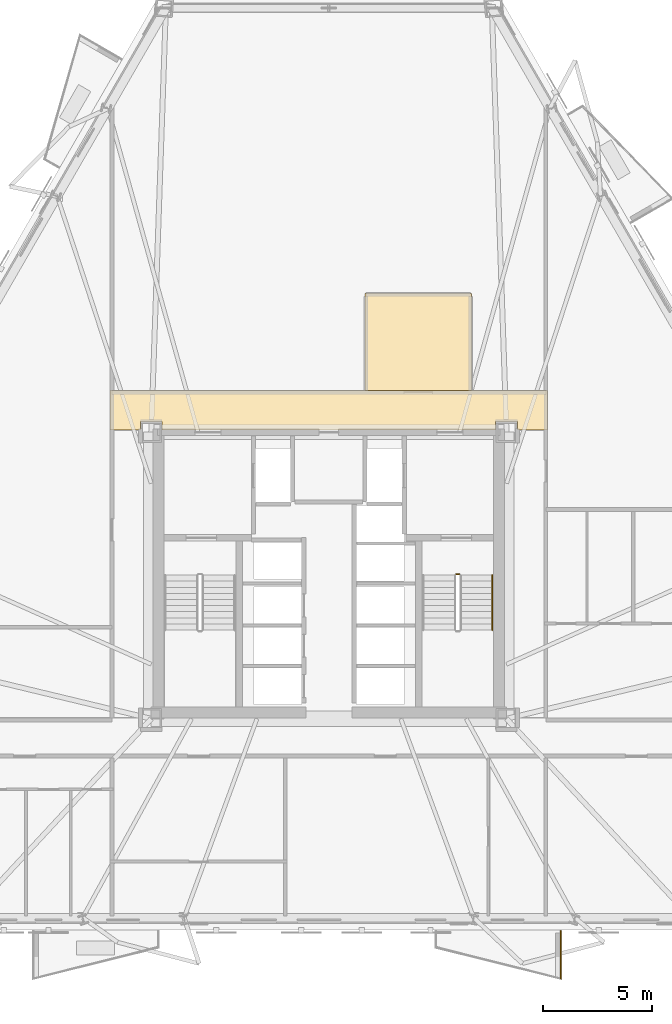
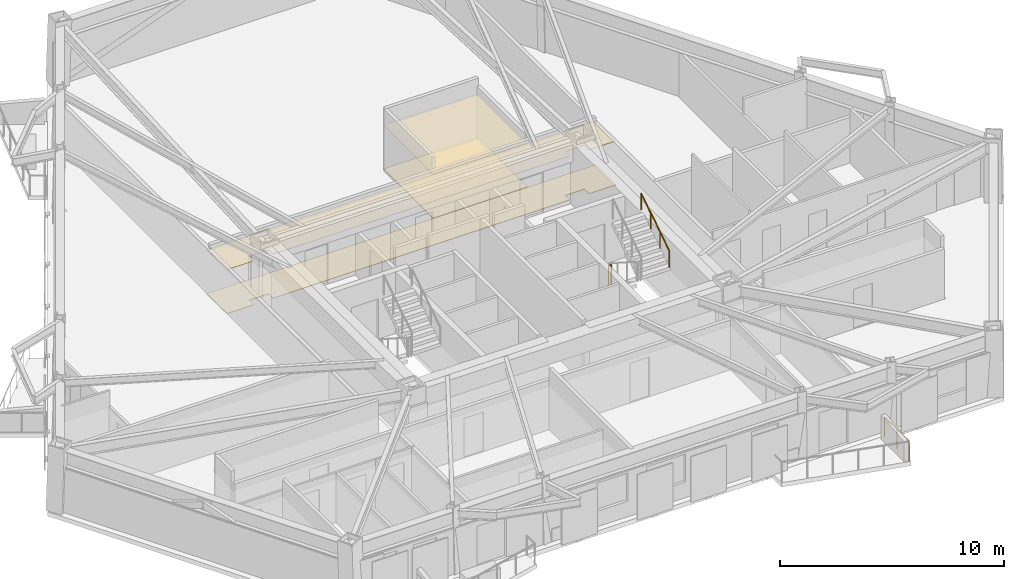
# One storey, part 12 of 13: 4 coverings, 3 railings.
"""IFC4 building model written with IfcOpenShell, lengths in metres."""

from ifc_helpers import new_model, si_unit, direction, frame, origin, origin_2d, place, context, subcontext, project, spatial, polyline, circle, outline, extrude, material, layer, layer_set, type_object, element, save


model = new_model("IFC4")

# Units and contexts
model_context = context("Model", 3, precision=1e-05, world=origin(), true_north=direction((0.0, 1.0)))
body_context = subcontext(model_context, "Body", "Model", "MODEL_VIEW")
ifc_project = project(units=[si_unit("LENGTHUNIT", "METRE"), si_unit("AREAUNIT", "SQUARE_METRE"), si_unit("VOLUMEUNIT", "CUBIC_METRE"), si_unit("PLANEANGLEUNIT", "RADIAN"), si_unit("MASSUNIT", "GRAM", prefix="KILO")], contexts=[model_context])

# Site, building, storey
site_placement = place(None, origin())
site = spatial("IfcSite", under=ifc_project, at=site_placement, CompositionType="ELEMENT")
building_placement = place(site_placement, origin())
building = spatial("IfcBuilding", under=site, at=building_placement, Name="Oramaril Tower", CompositionType="ELEMENT")
storey_placement = place(building_placement, frame((0.0, 0.0, 41.699951171875)))
storey = spatial("IfcBuildingStorey", under=building, at=storey_placement, Name="L10", CompositionType="ELEMENT", Elevation=41.699951171875)

# Coverings
ifc_material_1 = material(Name="Mineral Fibre Acoustic Ceiling")
ifc_layer_1 = layer(ifc_material_1, 0.02001953125)
ifc_layer_set_1 = layer_set([ifc_layer_1], Name="CVT-CEIL")
covering_type_1 = type_object("IfcCoveringType", Name="CVT-CEIL", PredefinedType="CEILING", material=ifc_layer_set_1)
covering_1_placement = place(storey_placement, frame((0.0, 0.0, 2.400146484375)))
element("IfcCovering", 1, at=covering_1_placement, inside=storey, type_object=covering_type_1, Name="L10 Acoustic Suspended Ceiling 2", PredefinedType="CEILING", context=body_context, shape_type="SweptSolid", body=[
    extrude(outline(polyline([(47.530029296875, 24.239990234375), (46.14501953125, 24.239990234375), (46.14501953125, 24.64501953125), (45.155029296875, 24.64501953125), (45.155029296875, 24.25), (29.844970703125, 24.25), (29.844970703125, 24.64501953125), (28.85498046875, 24.64501953125), (28.85498046875, 24.239990234375), (27.469970703125, 24.239990234375), (27.469970703125, 26.050048828125), (47.530029296875, 26.050048828125), (47.530029296875, 24.239990234375)])), origin(), (0.0, 0.0, 1.0), 0.02001953125),
])
covering_2_placement = place(storey_placement, frame((0.0, 0.0, 2.400146484375)))
element("IfcCovering", 2, at=covering_2_placement, inside=storey, type_object=covering_type_1, Name="L10 Acoustic Suspended Ceiling 5", PredefinedType="CEILING", context=body_context, shape_type="SweptSolid", body=[
    extrude(outline(polyline([(44.0419921875, 30.511962890625), (44.0419921875, 26.070068359375), (39.157958984375, 26.070068359375), (39.157958984375, 30.511962890625), (44.0419921875, 30.511962890625)])), origin(), (0.0, 0.0, 1.0), 0.02001953125),
])
ifc_material_2 = material(Name="Honed Quartzite Stone Flooring", Category="masonry")
ifc_layer_2 = layer(ifc_material_2, 0.02490234375)
ifc_layer_set_2 = layer_set([ifc_layer_2], Name="CVT-FLR")
covering_type_2 = type_object("IfcCoveringType", Name="CVT-FLR", PredefinedType="FLOORING", material=ifc_layer_set_2)
covering_3_placement = place(storey_placement, origin())
element("IfcCovering", 3, at=covering_3_placement, inside=storey, type_object=covering_type_2, Name="L10 Honed Stone Floor Finish 2", PredefinedType="FLOORING", context=body_context, shape_type="SweptSolid", body=[
    extrude(outline(polyline([(47.530029296875, 24.239990234375), (46.14501953125, 24.239990234375), (46.14501953125, 24.64501953125), (45.155029296875, 24.64501953125), (45.155029296875, 24.25), (29.844970703125, 24.25), (29.844970703125, 24.64501953125), (28.85498046875, 24.64501953125), (28.85498046875, 24.239990234375), (27.469970703125, 24.239990234375), (27.469970703125, 26.050048828125), (47.530029296875, 26.050048828125), (47.530029296875, 24.239990234375)])), origin(), (0.0, 0.0, 1.0), 0.025146484375),
])
covering_4_placement = place(storey_placement, origin())
element("IfcCovering", 4, at=covering_4_placement, inside=storey, type_object=covering_type_2, Name="L10 Honed Stone Floor Finish 5", PredefinedType="FLOORING", context=body_context, shape_type="SweptSolid", body=[
    extrude(outline(polyline([(44.0419921875, 30.511962890625), (44.0419921875, 26.070068359375), (39.157958984375, 26.070068359375), (39.157958984375, 30.511962890625), (44.0419921875, 30.511962890625)])), origin(), (0.0, 0.0, 1.0), 0.025146484375),
])

# Railings
ifc_material_3 = material(Name="Stainless Steel 316L", Category="steel")
railing_type_1 = type_object("IfcRailingType", Name="RLT-GRD", PredefinedType="GUARDRAIL", material=ifc_material_3)
railing_1_placement = place(storey_placement, frame((48.139892578125, 1.268310546875, 0.0)))
element("IfcRailing", 5, at=railing_1_placement, inside=storey, type_object=railing_type_1, Name="L10 Balcony Guardrail L10-BAL-S2.1", PredefinedType="GUARDRAIL", context=body_context, shape_type="SweptSolid", body=[
    extrude(circle(Radius=0.02392578125, at=origin_2d()), frame((0.0, 0.0, 1.076171875), z_axis=(0.0, -1.0, 0.0), x_axis=(1.0, 0.0, 0.0)), (0.0, 0.0, 1.0), 2.19189453125),
    extrude(circle(Radius=0.02099609375, at=origin_2d()), origin(), (0.0, 0.0, 1.0), 1.052001953125),
    extrude(circle(Radius=0.02099609375, at=origin_2d()), frame((0.0, -1.095947265625, 0.0)), (0.0, 0.0, 1.0), 1.052001953125),
    extrude(circle(Radius=0.02099609375, at=origin_2d()), frame((0.0, -2.19189453125, 0.0)), (0.0, 0.0, 1.0), 1.052001953125),
])
railing_2_placement = place(storey_placement, frame((43.340087890625, 17.639892578125, 0.0)))
element("IfcRailing", 6, at=railing_2_placement, inside=storey, type_object=railing_type_1, Name="L10 ST-2 stair guard 4", PredefinedType="GUARDRAIL", context=body_context, shape_type="SweptSolid", body=[
    extrude(circle(Radius=0.02392578125, at=origin_2d()), frame((0.0, 0.0, 1.076171875), z_axis=(1.0, 0.0, 0.0), x_axis=(0.0, 1.0, 0.0)), (0.0, 0.0, 1.0), 0.14990234375),
    extrude(circle(Radius=0.02099609375, at=origin_2d()), origin(), (0.0, 0.0, 1.0), 1.052001953125),
    extrude(circle(Radius=0.02099609375, at=origin_2d()), frame((0.14990234375, 0.0, 0.0)), (0.0, 0.0, 1.0), 1.052001953125),
])
ifc_material_4 = material(Name="Stainless Steel 316L", Category="steel")
railing_type_2 = type_object("IfcRailingType", Name="RLT-HND", PredefinedType="HANDRAIL", material=ifc_material_4)
railing_3_placement = place(storey_placement, frame((45.0, 15.070068359375, 1.97998046875)))
element("IfcRailing", 7, at=railing_3_placement, inside=storey, type_object=railing_type_2, Name="L10 ST-2 stair handrail 2", PredefinedType="HANDRAIL", context=body_context, shape_type="SweptSolid", body=[
    extrude(circle(Radius=0.02392578125, at=origin_2d()), frame((0.0, 0.0, 0.8759765625), z_axis=(0.0, 0.841162588446, 0.540782303519), x_axis=(-1.0, 0.0, 0.0)), (0.0, 0.0, 1.0), 2.995849609375),
    extrude(circle(Radius=0.02099609375, at=origin_2d()), origin(), (0.0, 0.0, 1.0), 0.851806640625),
    extrude(circle(Radius=0.02099609375, at=origin_2d()), frame((0.0, 0.840087890625, 0.5400390625)), (0.0, 0.0, 1.0), 0.851806640625),
    extrude(circle(Radius=0.02099609375, at=origin_2d()), frame((0.0, 1.679931640625, 1.080078125)), (0.0, 0.0, 1.0), 0.851806640625),
    extrude(circle(Radius=0.02099609375, at=origin_2d()), frame((0.0, 2.52001953125, 1.6201171875)), (0.0, 0.0, 1.0), 0.851806640625),
])

save(model, "model.ifc")
